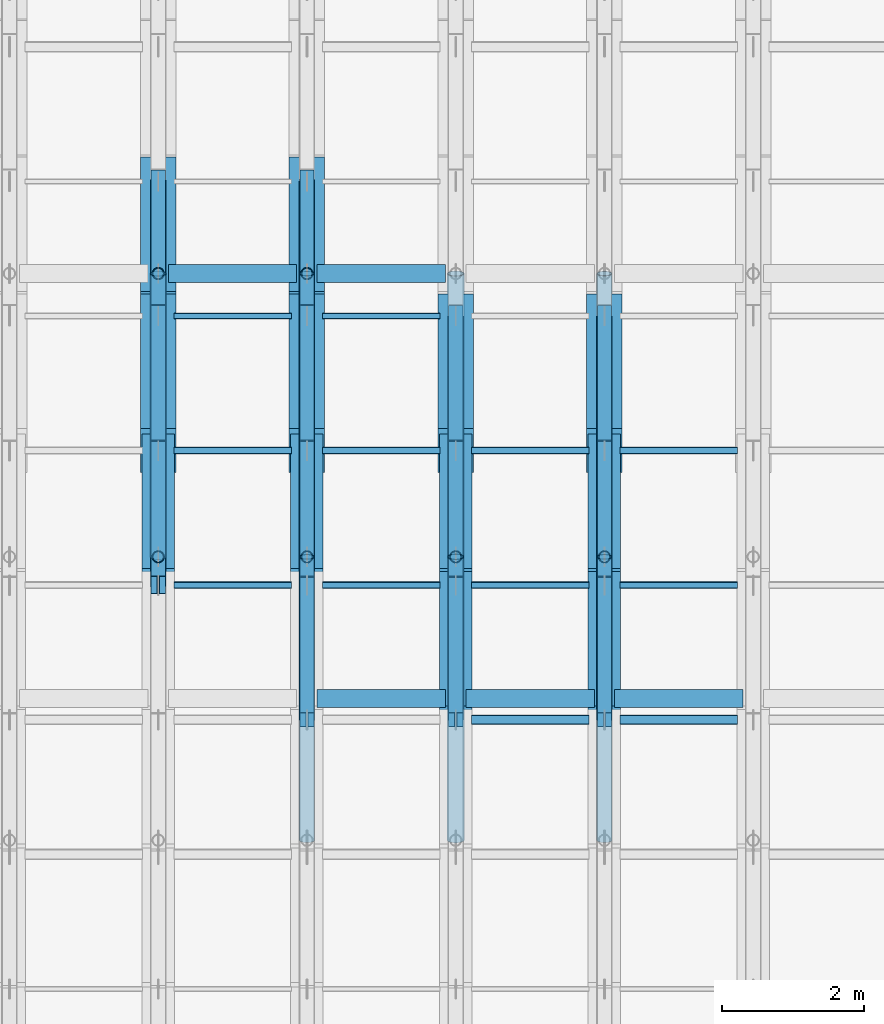
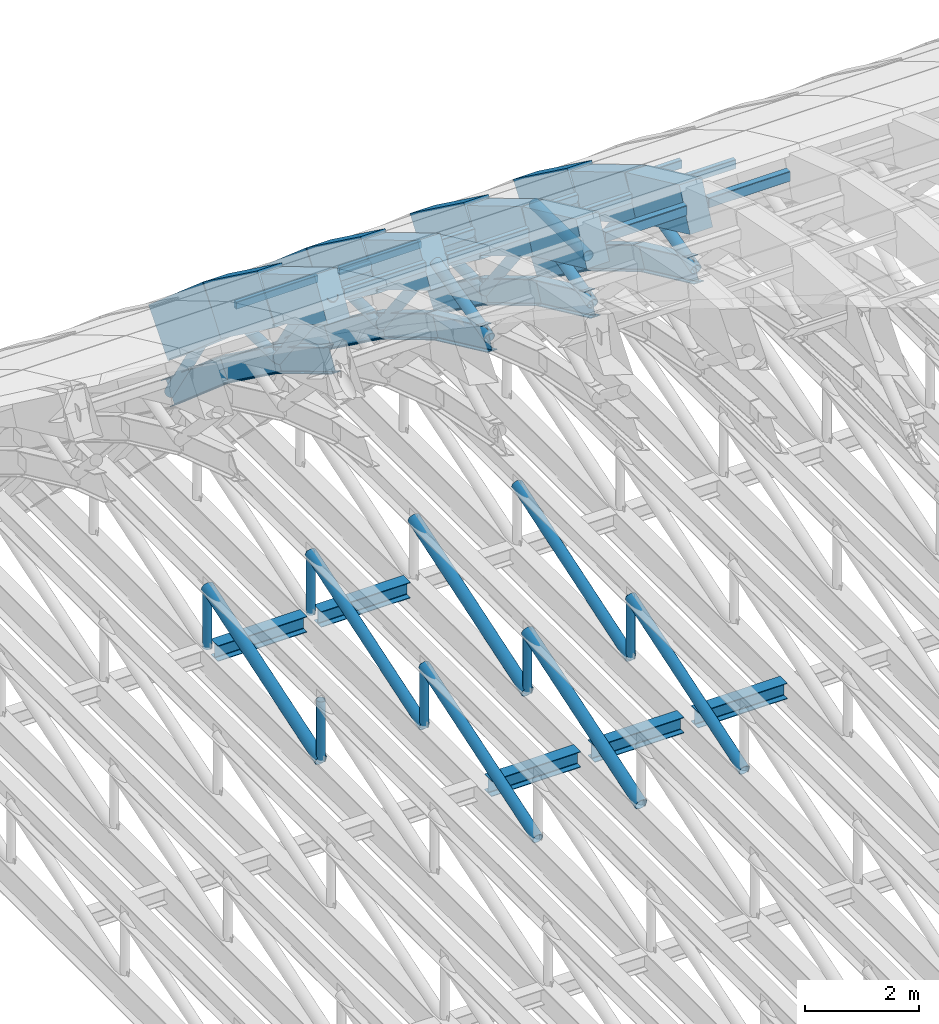
# One storey, part 30 of 67: 38 members, 30 beams.
"""IFC4 building model written with IfcOpenShell, lengths in metres."""

from ifc_helpers import new_model, si_unit, direction, frame, origin, origin_2d, place, context, subcontext, project, spatial, rectangle, hollow_rectangle, hollow_circle, i_section, extrude, material, material_profile, profile_set, type_object, element, save


model = new_model("IFC4")

# Units and contexts
model_context = context("Model", 3, precision=1e-05, world=origin(), true_north=direction((0.0, 1.0)))
body_context = subcontext(model_context, "Body", "Model", "MODEL_VIEW")
ifc_project = project(units=[si_unit("LENGTHUNIT", "METRE"), si_unit("AREAUNIT", "SQUARE_METRE"), si_unit("VOLUMEUNIT", "CUBIC_METRE"), si_unit("PLANEANGLEUNIT", "RADIAN"), si_unit("MASSUNIT", "GRAM", prefix="KILO")], contexts=[model_context])

# Site, building, storey
site_placement = place(None, origin())
site = spatial("IfcSite", under=ifc_project, at=site_placement, CompositionType="ELEMENT")
building_placement = place(site_placement, origin())
building = spatial("IfcBuilding", under=site, at=building_placement, Name="Shengluoqiao Park Theatre", CompositionType="ELEMENT")
storey_placement = place(building_placement, frame((0.0, 0.0, 28.60009765625)))
storey = spatial("IfcBuildingStorey", under=building, at=storey_placement, Name="Roof", CompositionType="ELEMENT", Elevation=28.60009765625)

# Beams
ifc_material_1 = material(Name="Concrete C50", Category="concrete")
ifc_material_profile_1 = material_profile(ifc_material_1, rectangle(XDim=0.4599609375, YDim=0.919921875, at=origin_2d()), Name="RC ARCH 460x920")
ifc_profile_set_1 = profile_set([ifc_material_profile_1], Name="Concrete C50")
beam_type_1 = type_object("IfcBeamType", Name="STR-BM-AR-4609", PredefinedType="BEAM", material=ifc_profile_set_1)
for number, where, z_axis, x_axis, name in (
    (1, (69.60009765625, 102.60009765625, 0.56396484375), (0.0, 0.858668723557, -0.512530997292), (-1.0, 0.0, 0.0), "Barrel-Shell Arch Rib R13-S15"),
    (2, (71.699951171875, 102.60009765625, 0.56396484375), (0.0, 0.858668723557, -0.512530997292), (-1.0, 0.0, 0.0), "Barrel-Shell Arch Rib R14-S15"),
):
    element("IfcBeam", number, at=place(storey_placement, frame(where, z_axis=z_axis, x_axis=x_axis)), inside=storey, type_object=beam_type_1, Name=name, PredefinedType="BEAM", context=body_context, shape_type="SweptSolid", body=[
        extrude(rectangle(XDim=0.4599609375, YDim=0.919921875, at=origin_2d()), origin(), (0.0, 0.0, 1.0), 2.212646484375),
    ])
beam_1_placement = place(storey_placement, frame((73.800048828125, 100.699951171875, 1.44580078125), z_axis=(0.0, 0.907077318021, -0.420964059192), x_axis=(-1.0, 0.0, 0.0)))
element("IfcBeam", 3, at=beam_1_placement, inside=storey, type_object=beam_type_1, Name="Barrel-Shell Arch Rib R15-S14", PredefinedType="BEAM", context=body_context, shape_type="SweptSolid", body=[
    extrude(rectangle(XDim=0.4599609375, YDim=0.919921875, at=origin_2d()), origin(), (0.0, 0.0, 1.0), 2.0947265625),
])
beam_2_placement = place(storey_placement, frame((73.800048828125, 102.60009765625, 0.56396484375), z_axis=(0.0, 0.858668723557, -0.512530997292), x_axis=(-1.0, 0.0, 0.0)))
element("IfcBeam", 4, at=beam_2_placement, inside=storey, type_object=beam_type_1, Name="Barrel-Shell Arch Rib R15-S15", PredefinedType="BEAM", context=body_context, shape_type="SweptSolid", body=[
    extrude(rectangle(XDim=0.4599609375, YDim=0.919921875, at=origin_2d()), origin(), (0.0, 0.0, 1.0), 2.212646484375),
])
beam_3_placement = place(storey_placement, frame((75.89990234375, 100.699951171875, 1.44580078125), z_axis=(0.0, 0.907077318021, -0.420964059192), x_axis=(-1.0, 0.0, 0.0)))
element("IfcBeam", 5, at=beam_3_placement, inside=storey, type_object=beam_type_1, Name="Barrel-Shell Arch Rib R16-S14", PredefinedType="BEAM", context=body_context, shape_type="SweptSolid", body=[
    extrude(rectangle(XDim=0.4599609375, YDim=0.919921875, at=origin_2d()), origin(), (0.0, 0.0, 1.0), 2.0947265625),
])
beam_4_placement = place(storey_placement, frame((75.89990234375, 102.60009765625, 0.56396484375), z_axis=(0.0, 0.858668723557, -0.512530997292), x_axis=(-1.0, 0.0, 0.0)))
element("IfcBeam", 6, at=beam_4_placement, inside=storey, type_object=beam_type_1, Name="Barrel-Shell Arch Rib R16-S15", PredefinedType="BEAM", context=body_context, shape_type="SweptSolid", body=[
    extrude(rectangle(XDim=0.4599609375, YDim=0.919921875, at=origin_2d()), origin(), (0.0, 0.0, 1.0), 2.212646484375),
])
ifc_material_profile_2 = material_profile(ifc_material_1, rectangle(XDim=0.5, YDim=1.050048828125, at=origin_2d()), Name="RC ARCH 500x1050")
ifc_profile_set_2 = profile_set([ifc_material_profile_2], Name="Concrete C50")
beam_type_2 = type_object("IfcBeamType", Name="STR-BM-AR-5010", PredefinedType="BEAM", material=ifc_profile_set_2)
beam_5_placement = place(storey_placement, frame((69.60009765625, 104.5, -0.570068359375), z_axis=(0.0, 0.807877780345, -0.589350058985), x_axis=(-1.0, 0.0, 0.0)))
element("IfcBeam", 7, at=beam_5_placement, inside=storey, type_object=beam_type_2, Name="Barrel-Shell Arch Rib R13-S16", PredefinedType="BEAM", context=body_context, shape_type="SweptSolid", body=[
    extrude(rectangle(XDim=0.5, YDim=1.050048828125, at=origin_2d()), origin(), (0.0, 0.0, 1.0), 2.351806640625),
])
beam_6_placement = place(storey_placement, frame((69.60009765625, 106.39990234375, -1.9560546875), z_axis=(0.0, 0.757433195517, -0.652912669757), x_axis=(-1.0, 0.0, 0.0)))
element("IfcBeam", 8, at=beam_6_placement, inside=storey, type_object=beam_type_2, Name="Barrel-Shell Arch Rib R13-S17", PredefinedType="BEAM", context=body_context, shape_type="SweptSolid", body=[
    extrude(rectangle(XDim=0.5, YDim=1.050048828125, at=origin_2d()), origin(), (0.0, 0.0, 1.0), 2.508544921875),
])
beam_7_placement = place(storey_placement, frame((71.699951171875, 104.5, -0.570068359375), z_axis=(0.0, 0.807877780345, -0.589350058985), x_axis=(-1.0, 0.0, 0.0)))
element("IfcBeam", 9, at=beam_7_placement, inside=storey, type_object=beam_type_2, Name="Barrel-Shell Arch Rib R14-S16", PredefinedType="BEAM", context=body_context, shape_type="SweptSolid", body=[
    extrude(rectangle(XDim=0.5, YDim=1.050048828125, at=origin_2d()), origin(), (0.0, 0.0, 1.0), 2.351806640625),
])
beam_8_placement = place(storey_placement, frame((71.699951171875, 106.39990234375, -1.9560546875), z_axis=(0.0, 0.757433195517, -0.652912669757), x_axis=(-1.0, 0.0, 0.0)))
element("IfcBeam", 10, at=beam_8_placement, inside=storey, type_object=beam_type_2, Name="Barrel-Shell Arch Rib R14-S17", PredefinedType="BEAM", context=body_context, shape_type="SweptSolid", body=[
    extrude(rectangle(XDim=0.5, YDim=1.050048828125, at=origin_2d()), origin(), (0.0, 0.0, 1.0), 2.508544921875),
])
for number, where, z_axis, x_axis, name in (
    (11, (73.800048828125, 104.5, -0.570068359375), (0.0, 0.807877780345, -0.589350058985), (-1.0, 0.0, 0.0), "Barrel-Shell Arch Rib R15-S16"),
    (12, (75.89990234375, 104.5, -0.570068359375), (0.0, 0.807877780345, -0.589350058985), (-1.0, 0.0, 0.0), "Barrel-Shell Arch Rib R16-S16"),
):
    element("IfcBeam", number, at=place(storey_placement, frame(where, z_axis=z_axis, x_axis=x_axis)), inside=storey, type_object=beam_type_2, Name=name, PredefinedType="BEAM", context=body_context, shape_type="SweptSolid", body=[
        extrude(rectangle(XDim=0.5, YDim=1.050048828125, at=origin_2d()), origin(), (0.0, 0.0, 1.0), 2.351806640625),
    ])
ifc_material_2 = material(Name="Steel Q355", Category="steel")
ifc_material_profile_3 = material_profile(ifc_material_2, i_section(OverallWidth=0.25, OverallDepth=0.340087890625, WebThickness=0.009033203125, FlangeThickness=0.013916015625, FilletRadius=0.01611328125, at=origin_2d()), Name="HM 340x250x9x14")
ifc_profile_set_3 = profile_set([ifc_material_profile_3], Name="Steel Q355")
beam_type_3 = type_object("IfcBeamType", Name="STR-BM-G-HM340", PredefinedType="BEAM", material=ifc_profile_set_3)
for number, where, z_axis, x_axis, name in (
    (13, (69.743896484375, 107.0, -9.77001953125), (1.0, 0.0, 0.0), (0.0, 1.0, 0.0), "Auditorium Overhead Catwalk Girder R13-5"),
    (14, (71.843994140625, 101.0, -9.77001953125), (1.0, 0.0, 0.0), (0.0, 1.0, 0.0), "Auditorium Overhead Catwalk Girder R14-4"),
    (15, (71.843994140625, 107.0, -9.77001953125), (1.0, 0.0, 0.0), (0.0, 1.0, 0.0), "Auditorium Overhead Catwalk Girder R14-5"),
    (16, (73.944091796875, 101.0, -9.77001953125), (1.0, 0.0, 0.0), (0.0, 1.0, 0.0), "Auditorium Overhead Catwalk Girder R15-4"),
    (17, (76.0439453125, 101.0, -9.77001953125), (1.0, 0.0, 0.0), (0.0, 1.0, 0.0), "Auditorium Overhead Catwalk Girder R16-4"),
):
    element("IfcBeam", number, at=place(storey_placement, frame(where, z_axis=z_axis, x_axis=x_axis)), inside=storey, type_object=beam_type_3, Name=name, PredefinedType="BEAM", context=body_context, shape_type="SweptSolid", body=[
        extrude(i_section(OverallWidth=0.25, OverallDepth=0.340087890625, WebThickness=0.009033203125, FlangeThickness=0.013916015625, FilletRadius=0.01611328125, at=origin_2d()), origin(), (0.0, 0.0, 1.0), 1.81201171875),
    ])
ifc_material_profile_4 = material_profile(ifc_material_2, i_section(OverallWidth=0.199951171875, OverallDepth=0.5, WebThickness=0.010009765625, FlangeThickness=0.01611328125, FilletRadius=0.01806640625, at=origin_2d()), Name="HN 500x200x10x16")
ifc_profile_set_4 = profile_set([ifc_material_profile_4], Name="Steel Q355")
beam_type_4 = type_object("IfcBeamType", Name="STR-BM-J-HN500", PredefinedType="JOIST", material=ifc_profile_set_4)
beam_9_placement = place(storey_placement, frame((69.60009765625, 102.60009765625, -0.796142578125), z_axis=(0.0, 0.858668723557, -0.512530997292), x_axis=(-1.0, 0.0, 0.0)))
element("IfcBeam", 18, at=beam_9_placement, inside=storey, type_object=beam_type_4, Name="Barrel-Shell Lower Arch Chord R13-S15", PredefinedType="JOIST", context=body_context, shape_type="SweptSolid", body=[
    extrude(i_section(OverallWidth=0.199951171875, OverallDepth=0.5, WebThickness=0.010009765625, FlangeThickness=0.01611328125, FilletRadius=0.01806640625, at=origin_2d()), origin(), (0.0, 0.0, 1.0), 2.212646484375),
])
beam_10_placement = place(storey_placement, frame((69.60009765625, 104.5, -1.93017578125), z_axis=(0.0, 0.807877780345, -0.589350058985), x_axis=(-1.0, 0.0, 0.0)))
element("IfcBeam", 19, at=beam_10_placement, inside=storey, type_object=beam_type_4, Name="Barrel-Shell Lower Arch Chord R13-S16", PredefinedType="JOIST", context=body_context, shape_type="SweptSolid", body=[
    extrude(i_section(OverallWidth=0.199951171875, OverallDepth=0.5, WebThickness=0.010009765625, FlangeThickness=0.01611328125, FilletRadius=0.01806640625, at=origin_2d()), origin(), (0.0, 0.0, 1.0), 2.351806640625),
])
beam_11_placement = place(storey_placement, frame((69.60009765625, 106.39990234375, -3.316162109375), z_axis=(0.0, 0.757433195517, -0.652912669757), x_axis=(-1.0, 0.0, 0.0)))
element("IfcBeam", 20, at=beam_11_placement, inside=storey, type_object=beam_type_4, Name="Barrel-Shell Lower Arch Chord R13-S17", PredefinedType="JOIST", context=body_context, shape_type="SweptSolid", body=[
    extrude(i_section(OverallWidth=0.199951171875, OverallDepth=0.5, WebThickness=0.010009765625, FlangeThickness=0.01611328125, FilletRadius=0.01806640625, at=origin_2d()), origin(), (0.0, 0.0, 1.0), 2.508544921875),
])
beam_12_placement = place(storey_placement, frame((71.699951171875, 100.699951171875, 0.0859375), z_axis=(0.0, 0.907032812412, -0.421059944911), x_axis=(-1.0, 0.0, 0.0)))
element("IfcBeam", 21, at=beam_12_placement, inside=storey, type_object=beam_type_4, Name="Barrel-Shell Lower Arch Chord R14-S14", PredefinedType="JOIST", context=body_context, shape_type="SweptSolid", body=[
    extrude(i_section(OverallWidth=0.199951171875, OverallDepth=0.5, WebThickness=0.010009765625, FlangeThickness=0.01611328125, FilletRadius=0.01806640625, at=origin_2d()), origin(), (0.0, 0.0, 1.0), 2.094970703125),
])
beam_13_placement = place(storey_placement, frame((71.699951171875, 102.60009765625, -0.796142578125), z_axis=(0.0, 0.858668723557, -0.512530997292), x_axis=(-1.0, 0.0, 0.0)))
element("IfcBeam", 22, at=beam_13_placement, inside=storey, type_object=beam_type_4, Name="Barrel-Shell Lower Arch Chord R14-S15", PredefinedType="JOIST", context=body_context, shape_type="SweptSolid", body=[
    extrude(i_section(OverallWidth=0.199951171875, OverallDepth=0.5, WebThickness=0.010009765625, FlangeThickness=0.01611328125, FilletRadius=0.01806640625, at=origin_2d()), origin(), (0.0, 0.0, 1.0), 2.212646484375),
])
beam_14_placement = place(storey_placement, frame((71.699951171875, 104.5, -1.93017578125), z_axis=(0.0, 0.807877780345, -0.589350058985), x_axis=(-1.0, 0.0, 0.0)))
element("IfcBeam", 23, at=beam_14_placement, inside=storey, type_object=beam_type_4, Name="Barrel-Shell Lower Arch Chord R14-S16", PredefinedType="JOIST", context=body_context, shape_type="SweptSolid", body=[
    extrude(i_section(OverallWidth=0.199951171875, OverallDepth=0.5, WebThickness=0.010009765625, FlangeThickness=0.01611328125, FilletRadius=0.01806640625, at=origin_2d()), origin(), (0.0, 0.0, 1.0), 2.351806640625),
])
beam_15_placement = place(storey_placement, frame((71.699951171875, 106.39990234375, -3.316162109375), z_axis=(0.0, 0.757433195517, -0.652912669757), x_axis=(-1.0, 0.0, 0.0)))
element("IfcBeam", 24, at=beam_15_placement, inside=storey, type_object=beam_type_4, Name="Barrel-Shell Lower Arch Chord R14-S17", PredefinedType="JOIST", context=body_context, shape_type="SweptSolid", body=[
    extrude(i_section(OverallWidth=0.199951171875, OverallDepth=0.5, WebThickness=0.010009765625, FlangeThickness=0.01611328125, FilletRadius=0.01806640625, at=origin_2d()), origin(), (0.0, 0.0, 1.0), 2.508544921875),
])
beam_16_placement = place(storey_placement, frame((73.800048828125, 100.699951171875, 0.0859375), z_axis=(0.0, 0.907032812412, -0.421059944911), x_axis=(-1.0, 0.0, 0.0)))
element("IfcBeam", 25, at=beam_16_placement, inside=storey, type_object=beam_type_4, Name="Barrel-Shell Lower Arch Chord R15-S14", PredefinedType="JOIST", context=body_context, shape_type="SweptSolid", body=[
    extrude(i_section(OverallWidth=0.199951171875, OverallDepth=0.5, WebThickness=0.010009765625, FlangeThickness=0.01611328125, FilletRadius=0.01806640625, at=origin_2d()), origin(), (0.0, 0.0, 1.0), 2.094970703125),
])
beam_17_placement = place(storey_placement, frame((73.800048828125, 102.60009765625, -0.796142578125), z_axis=(0.0, 0.858668723557, -0.512530997292), x_axis=(-1.0, 0.0, 0.0)))
element("IfcBeam", 26, at=beam_17_placement, inside=storey, type_object=beam_type_4, Name="Barrel-Shell Lower Arch Chord R15-S15", PredefinedType="JOIST", context=body_context, shape_type="SweptSolid", body=[
    extrude(i_section(OverallWidth=0.199951171875, OverallDepth=0.5, WebThickness=0.010009765625, FlangeThickness=0.01611328125, FilletRadius=0.01806640625, at=origin_2d()), origin(), (0.0, 0.0, 1.0), 2.212646484375),
])
beam_18_placement = place(storey_placement, frame((73.800048828125, 104.5, -1.93017578125), z_axis=(0.0, 0.807877780345, -0.589350058985), x_axis=(-1.0, 0.0, 0.0)))
element("IfcBeam", 27, at=beam_18_placement, inside=storey, type_object=beam_type_4, Name="Barrel-Shell Lower Arch Chord R15-S16", PredefinedType="JOIST", context=body_context, shape_type="SweptSolid", body=[
    extrude(i_section(OverallWidth=0.199951171875, OverallDepth=0.5, WebThickness=0.010009765625, FlangeThickness=0.01611328125, FilletRadius=0.01806640625, at=origin_2d()), origin(), (0.0, 0.0, 1.0), 2.351806640625),
])
beam_19_placement = place(storey_placement, frame((75.89990234375, 100.699951171875, 0.0859375), z_axis=(0.0, 0.907032812412, -0.421059944911), x_axis=(-1.0, 0.0, 0.0)))
element("IfcBeam", 28, at=beam_19_placement, inside=storey, type_object=beam_type_4, Name="Barrel-Shell Lower Arch Chord R16-S14", PredefinedType="JOIST", context=body_context, shape_type="SweptSolid", body=[
    extrude(i_section(OverallWidth=0.199951171875, OverallDepth=0.5, WebThickness=0.010009765625, FlangeThickness=0.01611328125, FilletRadius=0.01806640625, at=origin_2d()), origin(), (0.0, 0.0, 1.0), 2.094970703125),
])
beam_20_placement = place(storey_placement, frame((75.89990234375, 102.60009765625, -0.796142578125), z_axis=(0.0, 0.858668723557, -0.512530997292), x_axis=(-1.0, 0.0, 0.0)))
element("IfcBeam", 29, at=beam_20_placement, inside=storey, type_object=beam_type_4, Name="Barrel-Shell Lower Arch Chord R16-S15", PredefinedType="JOIST", context=body_context, shape_type="SweptSolid", body=[
    extrude(i_section(OverallWidth=0.199951171875, OverallDepth=0.5, WebThickness=0.010009765625, FlangeThickness=0.01611328125, FilletRadius=0.01806640625, at=origin_2d()), origin(), (0.0, 0.0, 1.0), 2.212646484375),
])
beam_21_placement = place(storey_placement, frame((75.89990234375, 104.5, -1.93017578125), z_axis=(0.0, 0.807877780345, -0.589350058985), x_axis=(-1.0, 0.0, 0.0)))
element("IfcBeam", 30, at=beam_21_placement, inside=storey, type_object=beam_type_4, Name="Barrel-Shell Lower Arch Chord R16-S16", PredefinedType="JOIST", context=body_context, shape_type="SweptSolid", body=[
    extrude(i_section(OverallWidth=0.199951171875, OverallDepth=0.5, WebThickness=0.010009765625, FlangeThickness=0.01611328125, FilletRadius=0.01806640625, at=origin_2d()), origin(), (0.0, 0.0, 1.0), 2.351806640625),
])

# Members
ifc_material_profile_5 = material_profile(ifc_material_2, hollow_circle(Radius=0.109619140625, WallThickness=0.010009765625, at=origin_2d()), Name="CHS 219x10")
ifc_profile_set_5 = profile_set([ifc_material_profile_5], Name="Steel Q355")
member_type_1 = type_object("IfcMemberType", Name="STR-MEM-BRC-219", PredefinedType="BRACE", material=ifc_profile_set_5)
member_1_placement = place(storey_placement, frame((69.60009765625, 102.60009765625, 0.56396484375), z_axis=(0.0, 0.605963445698, -0.795492490523), x_axis=(-1.0, 0.0, 0.0)))
element("IfcMember", 31, at=member_1_placement, inside=storey, type_object=member_type_1, Name="Barrel-Shell Arch Truss Web 0255", PredefinedType="BRACE", context=body_context, shape_type="SweptSolid", body=[
    extrude(hollow_circle(Radius=0.109619140625, WallThickness=0.010009765625, at=origin_2d()), origin(), (0.0, 0.0, 1.0), 3.13525390625),
])
member_2_placement = place(storey_placement, frame((69.60009765625, 104.5, -1.93017578125), z_axis=(0.0, 0.999907244674, -0.013619913639), x_axis=(-1.0, 0.0, 0.0)))
element("IfcMember", 32, at=member_2_placement, inside=storey, type_object=member_type_1, Name="Barrel-Shell Arch Truss Web 0256", PredefinedType="BRACE", context=body_context, shape_type="SweptSolid", body=[
    extrude(hollow_circle(Radius=0.109619140625, WallThickness=0.010009765625, at=origin_2d()), origin(), (0.0, 0.0, 1.0), 1.900146484375),
])
member_3_placement = place(storey_placement, frame((69.60009765625, 106.39990234375, -1.9560546875), z_axis=(0.0, 0.535330234694, -0.844642847494), x_axis=(-1.0, 0.0, 0.0)))
element("IfcMember", 33, at=member_3_placement, inside=storey, type_object=member_type_1, Name="Barrel-Shell Arch Truss Web 0257", PredefinedType="BRACE", context=body_context, shape_type="SweptSolid", body=[
    extrude(hollow_circle(Radius=0.109619140625, WallThickness=0.010009765625, at=origin_2d()), origin(), (0.0, 0.0, 1.0), 3.549560546875),
])
member_4_placement = place(storey_placement, frame((71.699951171875, 100.699951171875, 0.0859375), z_axis=(0.0, 0.96978228772, 0.243971954176), x_axis=(-1.0, 0.0, 0.0)))
element("IfcMember", 34, at=member_4_placement, inside=storey, type_object=member_type_1, Name="Barrel-Shell Arch Truss Web 0274", PredefinedType="BRACE", context=body_context, shape_type="SweptSolid", body=[
    extrude(hollow_circle(Radius=0.109619140625, WallThickness=0.010009765625, at=origin_2d()), origin(), (0.0, 0.0, 1.0), 1.95947265625),
])
member_5_placement = place(storey_placement, frame((71.699951171875, 102.60009765625, 0.56396484375), z_axis=(0.0, 0.605963445698, -0.795492490523), x_axis=(-1.0, 0.0, 0.0)))
element("IfcMember", 35, at=member_5_placement, inside=storey, type_object=member_type_1, Name="Barrel-Shell Arch Truss Web 0275", PredefinedType="BRACE", context=body_context, shape_type="SweptSolid", body=[
    extrude(hollow_circle(Radius=0.109619140625, WallThickness=0.010009765625, at=origin_2d()), origin(), (0.0, 0.0, 1.0), 3.13525390625),
])
member_6_placement = place(storey_placement, frame((71.699951171875, 104.5, -1.93017578125), z_axis=(0.0, 0.999907244674, -0.013619913639), x_axis=(-1.0, 0.0, 0.0)))
element("IfcMember", 36, at=member_6_placement, inside=storey, type_object=member_type_1, Name="Barrel-Shell Arch Truss Web 0276", PredefinedType="BRACE", context=body_context, shape_type="SweptSolid", body=[
    extrude(hollow_circle(Radius=0.109619140625, WallThickness=0.010009765625, at=origin_2d()), origin(), (0.0, 0.0, 1.0), 1.900146484375),
])
member_7_placement = place(storey_placement, frame((71.699951171875, 106.39990234375, -1.9560546875), z_axis=(0.0, 0.535330234694, -0.844642847494), x_axis=(-1.0, 0.0, 0.0)))
element("IfcMember", 37, at=member_7_placement, inside=storey, type_object=member_type_1, Name="Barrel-Shell Arch Truss Web 0277", PredefinedType="BRACE", context=body_context, shape_type="SweptSolid", body=[
    extrude(hollow_circle(Radius=0.109619140625, WallThickness=0.010009765625, at=origin_2d()), origin(), (0.0, 0.0, 1.0), 3.549560546875),
])
member_8_placement = place(storey_placement, frame((73.800048828125, 100.699951171875, 0.0859375), z_axis=(0.0, 0.96978228772, 0.243971954176), x_axis=(-1.0, 0.0, 0.0)))
element("IfcMember", 38, at=member_8_placement, inside=storey, type_object=member_type_1, Name="Barrel-Shell Arch Truss Web 0294", PredefinedType="BRACE", context=body_context, shape_type="SweptSolid", body=[
    extrude(hollow_circle(Radius=0.109619140625, WallThickness=0.010009765625, at=origin_2d()), origin(), (0.0, 0.0, 1.0), 1.95947265625),
])
member_9_placement = place(storey_placement, frame((73.800048828125, 102.60009765625, 0.56396484375), z_axis=(0.0, 0.605963445698, -0.795492490523), x_axis=(-1.0, 0.0, 0.0)))
element("IfcMember", 39, at=member_9_placement, inside=storey, type_object=member_type_1, Name="Barrel-Shell Arch Truss Web 0295", PredefinedType="BRACE", context=body_context, shape_type="SweptSolid", body=[
    extrude(hollow_circle(Radius=0.109619140625, WallThickness=0.010009765625, at=origin_2d()), origin(), (0.0, 0.0, 1.0), 3.13525390625),
])
member_10_placement = place(storey_placement, frame((73.800048828125, 104.5, -1.93017578125), z_axis=(0.0, 0.999907244674, -0.013619913639), x_axis=(-1.0, 0.0, 0.0)))
element("IfcMember", 40, at=member_10_placement, inside=storey, type_object=member_type_1, Name="Barrel-Shell Arch Truss Web 0296", PredefinedType="BRACE", context=body_context, shape_type="SweptSolid", body=[
    extrude(hollow_circle(Radius=0.109619140625, WallThickness=0.010009765625, at=origin_2d()), origin(), (0.0, 0.0, 1.0), 1.900146484375),
])
member_11_placement = place(storey_placement, frame((75.89990234375, 100.699951171875, 0.0859375), z_axis=(0.0, 0.96978228772, 0.243971954176), x_axis=(-1.0, 0.0, 0.0)))
element("IfcMember", 41, at=member_11_placement, inside=storey, type_object=member_type_1, Name="Barrel-Shell Arch Truss Web 0314", PredefinedType="BRACE", context=body_context, shape_type="SweptSolid", body=[
    extrude(hollow_circle(Radius=0.109619140625, WallThickness=0.010009765625, at=origin_2d()), origin(), (0.0, 0.0, 1.0), 1.95947265625),
])
member_12_placement = place(storey_placement, frame((75.89990234375, 102.60009765625, 0.56396484375), z_axis=(0.0, 0.605963445698, -0.795492490523), x_axis=(-1.0, 0.0, 0.0)))
element("IfcMember", 42, at=member_12_placement, inside=storey, type_object=member_type_1, Name="Barrel-Shell Arch Truss Web 0315", PredefinedType="BRACE", context=body_context, shape_type="SweptSolid", body=[
    extrude(hollow_circle(Radius=0.109619140625, WallThickness=0.010009765625, at=origin_2d()), origin(), (0.0, 0.0, 1.0), 3.13525390625),
])
member_13_placement = place(storey_placement, frame((75.89990234375, 104.5, -1.93017578125), z_axis=(0.0, 0.999907244674, -0.013619913639), x_axis=(-1.0, 0.0, 0.0)))
element("IfcMember", 43, at=member_13_placement, inside=storey, type_object=member_type_1, Name="Barrel-Shell Arch Truss Web 0316", PredefinedType="BRACE", context=body_context, shape_type="SweptSolid", body=[
    extrude(hollow_circle(Radius=0.109619140625, WallThickness=0.010009765625, at=origin_2d()), origin(), (0.0, 0.0, 1.0), 1.900146484375),
])
for number, where, z_axis, x_axis, name in (
    (44, (71.699951171875, 99.0, -9.650146484375), (0.0, 0.951030656115, 0.309096572498), (-1.0, 0.0, 0.0), "Acoustic Tie Truss Diagonal 0083"),
    (45, (71.699951171875, 103.0, -9.650146484375), (0.0, 0.951030656115, 0.309096572498), (-1.0, 0.0, 0.0), "Acoustic Tie Truss Diagonal 0084"),
    (46, (75.89990234375, 99.0, -9.650146484375), (0.0, 0.951030656115, 0.309096572498), (-1.0, 0.0, 0.0), "Acoustic Tie Truss Diagonal 0117"),
    (47, (75.89990234375, 103.0, -9.650146484375), (0.0, 0.951030656115, 0.309096572498), (-1.0, 0.0, 0.0), "Acoustic Tie Truss Diagonal 0118"),
):
    element("IfcMember", number, at=place(storey_placement, frame(where, z_axis=z_axis, x_axis=x_axis)), inside=storey, type_object=member_type_1, Name=name, PredefinedType="BRACE", context=body_context, shape_type="SweptSolid", body=[
        extrude(hollow_circle(Radius=0.109619140625, WallThickness=0.010009765625, at=origin_2d()), origin(), (0.0, 0.0, 1.0), 4.2060546875),
    ])
ifc_material_profile_6 = material_profile(ifc_material_2, hollow_circle(Radius=0.12255859375, WallThickness=0.010009765625, at=origin_2d()), Name="CHS 245x10")
ifc_profile_set_6 = profile_set([ifc_material_profile_6], Name="Steel Q355")
member_type_2 = type_object("IfcMemberType", Name="STR-MEM-BRC-245", PredefinedType="BRACE", material=ifc_profile_set_6)
for number, where, z_axis, x_axis, name in (
    (48, (69.60009765625, 103.0, -9.650146484375), (0.0, 0.951030656115, 0.309096572498), (-1.0, 0.0, 0.0), "Acoustic Tie Truss Diagonal 0067"),
    (49, (73.800048828125, 99.0, -9.650146484375), (0.0, 0.951030656115, 0.309096572498), (-1.0, 0.0, 0.0), "Acoustic Tie Truss Diagonal 0100"),
    (50, (73.800048828125, 103.0, -9.650146484375), (0.0, 0.951030656115, 0.309096572498), (-1.0, 0.0, 0.0), "Acoustic Tie Truss Diagonal 0101"),
):
    element("IfcMember", number, at=place(storey_placement, frame(where, z_axis=z_axis, x_axis=x_axis)), inside=storey, type_object=member_type_2, Name=name, PredefinedType="BRACE", context=body_context, shape_type="SweptSolid", body=[
        extrude(hollow_circle(Radius=0.12255859375, WallThickness=0.010009765625, at=origin_2d()), origin(), (0.0, 0.0, 1.0), 4.2060546875),
    ])
ifc_material_profile_7 = material_profile(ifc_material_2, hollow_rectangle(XDim=0.080078125, YDim=0.159912109375, WallThickness=0.006103515625, InnerFilletRadius=0.006103515625, OuterFilletRadius=0.011962890625, at=origin_2d()), Name="RHS 160x80x6")
ifc_profile_set_7 = profile_set([ifc_material_profile_7], Name="Steel Q355")
member_type_3 = type_object("IfcMemberType", Name="STR-MEM-PU-R160", PredefinedType="PURLIN", material=ifc_profile_set_7)
member_14_placement = place(storey_placement, frame((69.820068359375, 106.39990234375, -2.006103515625), z_axis=(1.0, 0.0, 0.0), x_axis=(0.0, 1.0, 0.0)))
element("IfcMember", 51, at=member_14_placement, inside=storey, type_object=member_type_3, Name="Shell Longitudinal Purlin 0244", PredefinedType="PURLIN", context=body_context, shape_type="SweptSolid", body=[
    extrude(hollow_rectangle(XDim=0.080078125, YDim=0.159912109375, WallThickness=0.006103515625, InnerFilletRadius=0.006103515625, OuterFilletRadius=0.011962890625, at=origin_2d()), origin(), (0.0, 0.0, 1.0), 1.659912109375),
])
member_15_placement = place(storey_placement, frame((71.919921875, 106.39990234375, -2.006103515625), z_axis=(1.0, 0.0, 0.0), x_axis=(0.0, 1.0, 0.0)))
element("IfcMember", 52, at=member_15_placement, inside=storey, type_object=member_type_3, Name="Shell Longitudinal Purlin 0263", PredefinedType="PURLIN", context=body_context, shape_type="SweptSolid", body=[
    extrude(hollow_rectangle(XDim=0.080078125, YDim=0.159912109375, WallThickness=0.006103515625, InnerFilletRadius=0.006103515625, OuterFilletRadius=0.011962890625, at=origin_2d()), origin(), (0.0, 0.0, 1.0), 1.66015625),
])
ifc_material_profile_8 = material_profile(ifc_material_2, hollow_rectangle(XDim=0.10009765625, YDim=0.179931640625, WallThickness=0.008056640625, InnerFilletRadius=0.008056640625, OuterFilletRadius=0.01611328125, at=origin_2d()), Name="RHS 180x100x8")
ifc_profile_set_8 = profile_set([ifc_material_profile_8], Name="Steel Q355")
member_type_4 = type_object("IfcMemberType", Name="STR-MEM-PU-R180", PredefinedType="PURLIN", material=ifc_profile_set_8)
member_16_placement = place(storey_placement, frame((69.820068359375, 104.5, -0.590087890625), z_axis=(1.0, 0.0, 0.0), x_axis=(0.0, 1.0, 0.0)))
element("IfcMember", 53, at=member_16_placement, inside=storey, type_object=member_type_4, Name="Shell Longitudinal Purlin 0243", PredefinedType="PURLIN", context=body_context, shape_type="SweptSolid", body=[
    extrude(hollow_rectangle(XDim=0.10009765625, YDim=0.179931640625, WallThickness=0.008056640625, InnerFilletRadius=0.008056640625, OuterFilletRadius=0.01611328125, at=origin_2d()), origin(), (0.0, 0.0, 1.0), 1.659912109375),
])
member_17_placement = place(storey_placement, frame((71.919921875, 104.5, -0.590087890625), z_axis=(1.0, 0.0, 0.0), x_axis=(0.0, 1.0, 0.0)))
element("IfcMember", 54, at=member_17_placement, inside=storey, type_object=member_type_4, Name="Shell Longitudinal Purlin 0262", PredefinedType="PURLIN", context=body_context, shape_type="SweptSolid", body=[
    extrude(hollow_rectangle(XDim=0.10009765625, YDim=0.179931640625, WallThickness=0.008056640625, InnerFilletRadius=0.008056640625, OuterFilletRadius=0.01611328125, at=origin_2d()), origin(), (0.0, 0.0, 1.0), 1.66015625),
])
for number, where, z_axis, x_axis, name in (
    (55, (74.02001953125, 104.5, -0.590087890625), (1.0, 0.0, 0.0), (0.0, 1.0, 0.0), "Shell Longitudinal Purlin 0281"),
    (56, (76.1201171875, 104.5, -0.590087890625), (1.0, 0.0, 0.0), (0.0, 1.0, 0.0), "Shell Longitudinal Purlin 0300"),
):
    element("IfcMember", number, at=place(storey_placement, frame(where, z_axis=z_axis, x_axis=x_axis)), inside=storey, type_object=member_type_4, Name=name, PredefinedType="PURLIN", context=body_context, shape_type="SweptSolid", body=[
        extrude(hollow_rectangle(XDim=0.10009765625, YDim=0.179931640625, WallThickness=0.008056640625, InnerFilletRadius=0.008056640625, OuterFilletRadius=0.01611328125, at=origin_2d()), origin(), (0.0, 0.0, 1.0), 1.659912109375),
    ])
ifc_material_profile_9 = material_profile(ifc_material_2, hollow_rectangle(XDim=0.10009765625, YDim=0.199951171875, WallThickness=0.008056640625, InnerFilletRadius=0.008056640625, OuterFilletRadius=0.01611328125, at=origin_2d()), Name="RHS 200x100x8")
ifc_profile_set_9 = profile_set([ifc_material_profile_9], Name="Steel Q355")
member_type_5 = type_object("IfcMemberType", Name="STR-MEM-PU-R200", PredefinedType="PURLIN", material=ifc_profile_set_9)
member_18_placement = place(storey_placement, frame((69.820068359375, 102.60009765625, 0.56396484375), z_axis=(1.0, 0.0, 0.0), x_axis=(0.0, 1.0, 0.0)))
element("IfcMember", 57, at=member_18_placement, inside=storey, type_object=member_type_5, Name="Shell Longitudinal Purlin 0242", PredefinedType="PURLIN", context=body_context, shape_type="SweptSolid", body=[
    extrude(hollow_rectangle(XDim=0.10009765625, YDim=0.199951171875, WallThickness=0.008056640625, InnerFilletRadius=0.008056640625, OuterFilletRadius=0.01611328125, at=origin_2d()), origin(), (0.0, 0.0, 1.0), 1.659912109375),
])
member_19_placement = place(storey_placement, frame((71.919921875, 102.60009765625, 0.56396484375), z_axis=(1.0, 0.0, 0.0), x_axis=(0.0, 1.0, 0.0)))
element("IfcMember", 58, at=member_19_placement, inside=storey, type_object=member_type_5, Name="Shell Longitudinal Purlin 0261", PredefinedType="PURLIN", context=body_context, shape_type="SweptSolid", body=[
    extrude(hollow_rectangle(XDim=0.10009765625, YDim=0.199951171875, WallThickness=0.008056640625, InnerFilletRadius=0.008056640625, OuterFilletRadius=0.01611328125, at=origin_2d()), origin(), (0.0, 0.0, 1.0), 1.66015625),
])
for number, where, z_axis, x_axis, name in (
    (59, (74.02001953125, 102.60009765625, 0.56396484375), (1.0, 0.0, 0.0), (0.0, 1.0, 0.0), "Shell Longitudinal Purlin 0280"),
    (60, (76.1201171875, 102.60009765625, 0.56396484375), (1.0, 0.0, 0.0), (0.0, 1.0, 0.0), "Shell Longitudinal Purlin 0299"),
):
    element("IfcMember", number, at=place(storey_placement, frame(where, z_axis=z_axis, x_axis=x_axis)), inside=storey, type_object=member_type_5, Name=name, PredefinedType="PURLIN", context=body_context, shape_type="SweptSolid", body=[
        extrude(hollow_rectangle(XDim=0.10009765625, YDim=0.199951171875, WallThickness=0.008056640625, InnerFilletRadius=0.008056640625, OuterFilletRadius=0.01611328125, at=origin_2d()), origin(), (0.0, 0.0, 1.0), 1.659912109375),
    ])
ifc_material_profile_10 = material_profile(ifc_material_2, hollow_rectangle(XDim=0.139892578125, YDim=0.219970703125, WallThickness=0.010009765625, InnerFilletRadius=0.010009765625, OuterFilletRadius=0.02001953125, at=origin_2d()), Name="RHS 220x140x10")
ifc_profile_set_10 = profile_set([ifc_material_profile_10], Name="Steel Q355")
member_type_6 = type_object("IfcMemberType", Name="STR-MEM-PU-R220", PredefinedType="PURLIN", material=ifc_profile_set_10)
for number, where, z_axis, x_axis, name in (
    (61, (74.02001953125, 100.699951171875, 1.4658203125), (1.0, 0.0, 0.0), (0.0, 1.0, 0.0), "Shell Longitudinal Purlin 0279"),
    (62, (76.1201171875, 100.699951171875, 1.4658203125), (1.0, 0.0, 0.0), (0.0, 1.0, 0.0), "Shell Longitudinal Purlin 0298"),
):
    element("IfcMember", number, at=place(storey_placement, frame(where, z_axis=z_axis, x_axis=x_axis)), inside=storey, type_object=member_type_6, Name=name, PredefinedType="PURLIN", context=body_context, shape_type="SweptSolid", body=[
        extrude(hollow_rectangle(XDim=0.139892578125, YDim=0.219970703125, WallThickness=0.010009765625, InnerFilletRadius=0.010009765625, OuterFilletRadius=0.02001953125, at=origin_2d()), origin(), (0.0, 0.0, 1.0), 1.659912109375),
    ])
ifc_material_profile_11 = material_profile(ifc_material_2, hollow_circle(Radius=0.083984375, WallThickness=0.008056640625, at=origin_2d()), Name="CHS 168x8")
ifc_profile_set_11 = profile_set([ifc_material_profile_11], Name="Steel Q355")
member_type_7 = type_object("IfcMemberType", Name="STR-MEM-STC-168", PredefinedType="STRUT", material=ifc_profile_set_11)
for number, where, z_axis, x_axis, name in (
    (63, (69.60009765625, 103.0, -9.650146484375), (0.0, 0.0, 1.0), (1.0, 0.0, 0.0), "Acoustic Tie Truss Strut 0058"),
    (64, (69.60009765625, 107.0, -9.650146484375), (0.0, 0.0, 1.0), (1.0, 0.0, 0.0), "Acoustic Tie Truss Strut 0059"),
    (65, (71.699951171875, 103.0, -9.650146484375), (0.0, 0.0, 1.0), (1.0, 0.0, 0.0), "Acoustic Tie Truss Strut 0075"),
    (66, (71.699951171875, 107.0, -9.650146484375), (0.0, 0.0, 1.0), (1.0, 0.0, 0.0), "Acoustic Tie Truss Strut 0076"),
    (67, (73.800048828125, 103.0, -9.650146484375), (0.0, 0.0, 1.0), (1.0, 0.0, 0.0), "Acoustic Tie Truss Strut 0092"),
    (68, (75.89990234375, 103.0, -9.650146484375), (0.0, 0.0, 1.0), (1.0, 0.0, 0.0), "Acoustic Tie Truss Strut 0109"),
):
    element("IfcMember", number, at=place(storey_placement, frame(where, z_axis=z_axis, x_axis=x_axis)), inside=storey, type_object=member_type_7, Name=name, PredefinedType="STRUT", context=body_context, shape_type="SweptSolid", body=[
        extrude(hollow_circle(Radius=0.083984375, WallThickness=0.008056640625, at=origin_2d()), origin(), (0.0, 0.0, 1.0), 1.300048828125),
    ])

save(model, "model.ifc")
